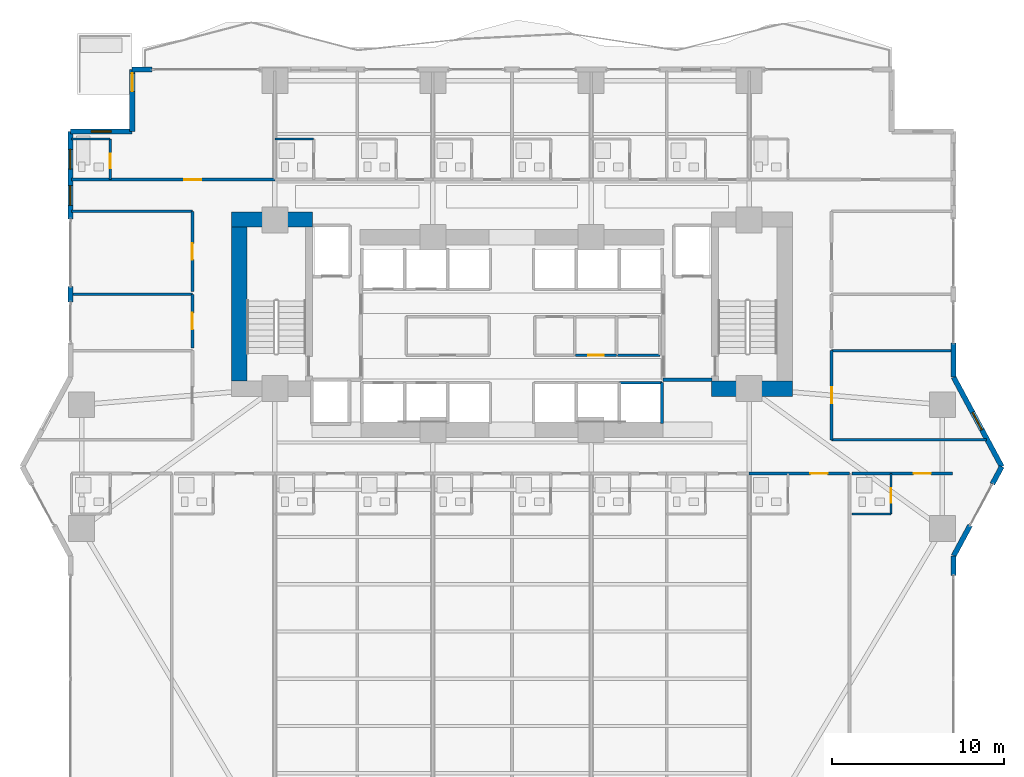
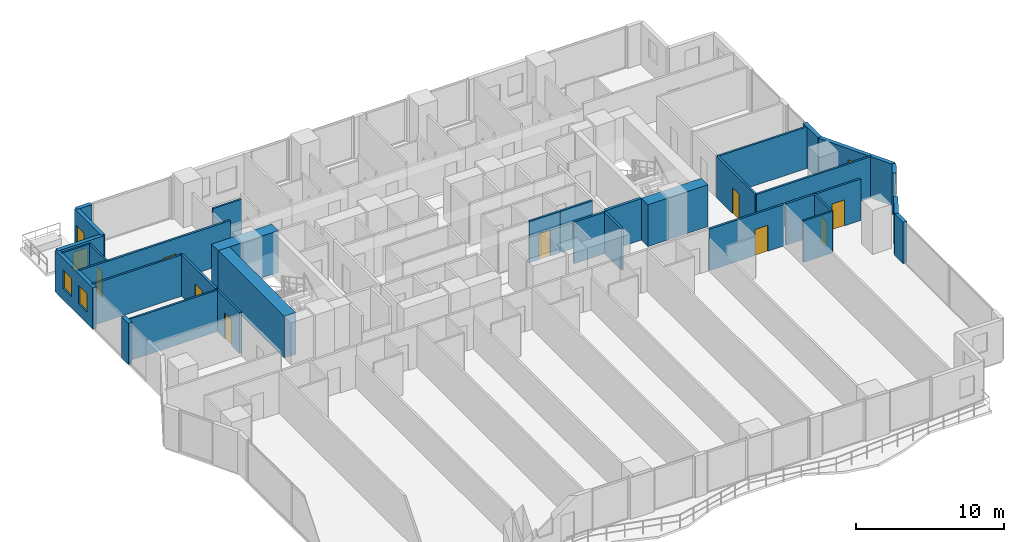
# One storey, part 21 of 29: 33 walls, 10 doors, 4 windows, 14 openings.
"""IFC4 building model written with IfcOpenShell, lengths in metres."""

import ifcopenshell
import ifcopenshell.guid

model = None  # the IFC model being written
_history = None  # IfcOwnerHistory: only IFC2X3 demands one
_inside = {}  # id of a spatial element -> (the spatial element, [elements in it])
_under = {}  # id of a project, library or spatial element -> (it, [spatial elements below it])
_declared = {}  # id of a project -> (the project, [libraries it declares])
_typed = {}  # id of a type object -> (the type object, [elements of that type])
_made_of = {}  # id of a material, layer set ... -> (it, [elements and type objects made of it])


def new_model(schema):
    """Start an empty IFC model of exactly this schema.

    Asked for "IFC4X3", IfcOpenShell would pick the latest addendum, in which some entities
    have other attributes; the version numbers below select the first issue.
    IFC2X3 requires an IfcOwnerHistory on every rooted entity: one is made here for all.
    """
    global model, _history
    if schema == "IFC4X3":
        model = ifcopenshell.file(schema_version=(4, 3, 0, 0))
    else:
        model = ifcopenshell.file(schema=schema)
    _inside.clear()
    _under.clear()
    _declared.clear()
    _typed.clear()
    _made_of.clear()
    _history = None
    if model.schema == "IFC2X3":
        org = make("IfcOrganization", Name="unknown")
        user = make(
            "IfcPersonAndOrganization",
            ThePerson=make("IfcPerson", FamilyName="unknown"),
            TheOrganization=org,
        )
        app = make(
            "IfcApplication",
            ApplicationDeveloper=org,
            Version="unknown",
            ApplicationFullName="unknown",
            ApplicationIdentifier="unknown",
        )
        _history = make(
            "IfcOwnerHistory",
            OwningUser=user,
            OwningApplication=app,
            ChangeAction="ADDED",
            CreationDate=0,
        )
    return model


def make(cls, **values):
    """One entity of the class cls with the attributes given. An attribute that is None is left unset."""
    return model.create_entity(
        cls, **{name: value for name, value in values.items() if value is not None}
    )


def rooted(cls, **values):
    """An entity with a GlobalId (a new one), such as an element, a storey or a relation."""
    return make(cls, GlobalId=ifcopenshell.guid.new(), OwnerHistory=_history, **values)


def si_unit(unit_type, name, prefix=None):
    """IfcSIUnit, for example si_unit("LENGTHUNIT", "METRE", prefix="MILLI")."""
    return make("IfcSIUnit", UnitType=unit_type, Prefix=prefix, Name=name)


def assignment(units):
    """IfcUnitAssignment: the units of a project."""
    return None if units is None else make("IfcUnitAssignment", Units=units)


def point(xyz):
    """IfcCartesianPoint."""
    return None if xyz is None else make("IfcCartesianPoint", Coordinates=xyz)


def direction(xyz):
    """IfcDirection."""
    return None if xyz is None else make("IfcDirection", DirectionRatios=xyz)


def frame(location, z_axis=None, x_axis=None):
    """IfcAxis2Placement3D, a coordinate frame: its origin and axes. An axis left out is left unset."""
    return make(
        "IfcAxis2Placement3D",
        Location=point(location),
        Axis=direction(z_axis),
        RefDirection=direction(x_axis),
    )


def frame_2d(location, x_axis=None):
    """IfcAxis2Placement2D, a coordinate frame in the plane: its origin and x axis."""
    return make(
        "IfcAxis2Placement2D", Location=point(location), RefDirection=direction(x_axis)
    )


def origin():
    """The frame at (0, 0, 0) with its axes left unset."""
    return frame((0.0, 0.0, 0.0))


def place(relative_to, where):
    """IfcLocalPlacement: puts the frame where relative to a parent placement (None: the world)."""
    return make(
        "IfcLocalPlacement", PlacementRelTo=relative_to, RelativePlacement=where
    )


def context(
    kind, dimensions, precision=None, world=None, true_north=None, identifier=None
):
    """IfcGeometricRepresentationContext, for example the 3D "Model" context."""
    return make(
        "IfcGeometricRepresentationContext",
        ContextIdentifier=identifier,
        ContextType=kind,
        CoordinateSpaceDimension=dimensions,
        Precision=precision,
        WorldCoordinateSystem=world,
        TrueNorth=true_north,
    )


def subcontext(parent, identifier, kind, view, scale=None):
    """IfcGeometricRepresentationSubContext, for example "Body" below "Model"."""
    return make(
        "IfcGeometricRepresentationSubContext",
        ContextIdentifier=identifier,
        ContextType=kind,
        ParentContext=parent,
        TargetScale=scale,
        TargetView=view,
    )


def project(units=None, contexts=None):
    """IfcProject with its units and contexts."""
    return rooted(
        "IfcProject",
        Name="project",
        RepresentationContexts=contexts,
        UnitsInContext=assignment(units),
    )


def spatial(cls, under=None, at=None, **own):
    """A site, building, storey or space (cls), placed at a placement, below another one or the project."""
    s = rooted(cls, ObjectPlacement=at, **own)
    if under is not None:
        _under.setdefault(under.id(), (under, []))[1].append(s)
    return s


def profile(cls, at=None, kind="AREA", **sizes):
    """A parametric profile (cls). Its sizes go by their IFC names, for example OverallWidth=200.0."""
    return make(cls, ProfileType=kind, Position=at, **sizes)


def rectangle(**sizes):
    """IfcRectangleProfileDef."""
    return profile("IfcRectangleProfileDef", **sizes)


def extrude(swept, where, along, depth):
    """IfcExtrudedAreaSolid: the profile swept, set in the frame where, extruded along a direction by depth."""
    return make(
        "IfcExtrudedAreaSolid",
        SweptArea=swept,
        Position=where,
        ExtrudedDirection=direction(along),
        Depth=depth,
    )


def shape(context_of_items, identifier, shape_type, items):
    """IfcShapeRepresentation: the items that make up one representation, for example the "Body"."""
    return make(
        "IfcShapeRepresentation",
        ContextOfItems=context_of_items,
        RepresentationIdentifier=identifier,
        RepresentationType=shape_type,
        Items=items,
    )


def material(Name=None, Category=None):
    """IfcMaterial."""
    return make("IfcMaterial", Name=Name, Category=Category)


def layer(
    of_material, thickness, ventilated=None, Name=None, Category=None, Priority=None
):
    """IfcMaterialLayer: one layer of a wall or slab, of a material (None: an air gap)."""
    return make(
        "IfcMaterialLayer",
        Material=of_material,
        LayerThickness=thickness,
        IsVentilated=ventilated,
        Name=Name,
        Category=Category,
        Priority=Priority,
    )


def layer_set(layers, Name=None):
    """IfcMaterialLayerSet."""
    return make("IfcMaterialLayerSet", MaterialLayers=layers, LayerSetName=Name)


def made_of(thing, what):
    """Note that an element or type object is made of a material, layer set ...; save() writes the relation."""
    if what is not None:
        _made_of.setdefault(what.id(), (what, []))[1].append(thing)
    return thing


def type_object(cls, material=None, **own):
    """A type object (cls), such as IfcWallType, which elements share."""
    return made_of(rooted(cls, **own), material)


def element(
    cls,
    number,
    at=None,
    inside=None,
    cuts=None,
    type_object=None,
    material=None,
    context=None,
    identifier="Body",
    shape_type=None,
    held_by="IfcProductDefinitionShape",
    body=None,
    shapes=None,
    **own,
):
    """One element of the class cls, such as IfcWall. Its Tag is "e" and its number.

    at: its placement. inside: the storey or other place that contains it. cuts: it is an
    opening in that element (IfcRelVoidsElement). A single representation is given by context,
    identifier, shape_type and body (its items); several are given by shapes. held_by: the class
    of the entity that holds the representations. save() writes the other relations.
    """
    e = rooted(cls, Tag="e%d" % number, ObjectPlacement=at, **own)
    if body is not None:
        shapes = [shape(context, identifier, shape_type, body)]
    if shapes is not None:
        e.Representation = make(held_by, Representations=shapes)
    if inside is not None:
        _inside.setdefault(inside.id(), (inside, []))[1].append(e)
    if cuts is not None:
        rooted(
            "IfcRelVoidsElement", RelatingBuildingElement=cuts, RelatedOpeningElement=e
        )
    if type_object is not None:
        _typed.setdefault(type_object.id(), (type_object, []))[1].append(e)
    return made_of(e, material)


def fill(opening, filler):
    """IfcRelFillsElement: the door or window that sits in an opening."""
    return rooted(
        "IfcRelFillsElement",
        RelatingOpeningElement=opening,
        RelatedBuildingElement=filler,
    )


def aggregate(whole, parts):
    """IfcRelAggregates: a whole, such as a stair, and the parts it consists of."""
    return rooted("IfcRelAggregates", RelatingObject=whole, RelatedObjects=parts)


def save(model, path):
    """Write the relations noted so far, then the file.

    IfcRelAggregates (storeys below a building ...), IfcRelContainedInSpatialStructure (elements
    in a storey), IfcRelDefinesByType, IfcRelAssociatesMaterial and IfcRelDeclares: one each for
    every whole, place, type object, material and project.
    """
    for whole, parts in _under.values():
        aggregate(whole, parts)
    for where, things in _inside.values():
        rooted(
            "IfcRelContainedInSpatialStructure",
            RelatedElements=things,
            RelatingStructure=where,
        )
    for kind, things in _typed.values():
        rooted("IfcRelDefinesByType", RelatedObjects=things, RelatingType=kind)
    for what, things in _made_of.values():
        rooted("IfcRelAssociatesMaterial", RelatedObjects=things, RelatingMaterial=what)
    for by, libraries in _declared.values():
        rooted("IfcRelDeclares", RelatingContext=by, RelatedDefinitions=libraries)
    model.write(path)


model = new_model("IFC4")

# Units and contexts
model_context = context("Model", 3, precision=1e-05, world=origin(), true_north=direction((0.0, 1.0)))
body_context = subcontext(model_context, "Body", "Model", "MODEL_VIEW")
ifc_project = project(units=[si_unit("LENGTHUNIT", "METRE"), si_unit("AREAUNIT", "SQUARE_METRE"), si_unit("VOLUMEUNIT", "CUBIC_METRE"), si_unit("PLANEANGLEUNIT", "RADIAN"), si_unit("MASSUNIT", "GRAM", prefix="KILO")], contexts=[model_context])

# Site, building, storey
site_placement = place(None, origin())
site = spatial("IfcSite", under=ifc_project, at=site_placement, CompositionType="ELEMENT")
building_placement = place(site_placement, origin())
building = spatial("IfcBuilding", under=site, at=building_placement, Name="Zuhayl Quay Hotel", CompositionType="ELEMENT")
storey_placement = place(building_placement, frame((0.0, 0.0, 67.75)))
storey = spatial("IfcBuildingStorey", under=building, at=storey_placement, Name="L16", CompositionType="ELEMENT", Elevation=67.75)

# Walls
ifc_material_1 = material(Name="Concrete C70/85", Category="concrete")
ifc_layer_1 = layer(ifc_material_1, 0.89990234375, Name="Concrete C70/85", Category="concrete")
ifc_layer_set_1 = layer_set([ifc_layer_1], Name="Concrete C70/85")
wall_type_1 = type_object("IfcWallType", Name="WL_CORE_900", PredefinedType="SHEAR", material=ifc_layer_set_1)
wall_1_placement = place(storey_placement, frame((-16.31005859375, 14.3798828125, 0.0), z_axis=(0.0, 0.0, 1.0), x_axis=(1.0, 0.0, 0.0)))
element("IfcWall", 1, at=wall_1_placement, inside=storey, type_object=wall_type_1, Name="L16 Core Shear Wall CW_NW", PredefinedType="SHEAR", context=body_context, shape_type="SweptSolid", body=[
    extrude(rectangle(XDim=4.7099609375, YDim=0.89990234375, at=frame_2d((2.35498046875, 0.0))), origin(), (0.0, 0.0, 1.0), 3.4599609375),
])
wall_2_placement = place(storey_placement, frame((-15.860107421875, 4.969970703125, 0.0), z_axis=(0.0, 0.0, 1.0), x_axis=(0.0, 1.0, 0.0)))
element("IfcWall", 2, at=wall_2_placement, inside=storey, type_object=wall_type_1, Name="L16 Core Shear Wall CW_W", PredefinedType="SHEAR", context=body_context, shape_type="SweptSolid", body=[
    extrude(rectangle(XDim=8.9599609375, YDim=0.89990234375, at=frame_2d((4.47998046875, 0.0))), origin(), (0.0, 0.0, 1.0), 3.4599609375),
])
wall_3_placement = place(storey_placement, frame((11.60009765625, 4.52001953125, 0.0), z_axis=(0.0, 0.0, 1.0), x_axis=(1.0, 0.0, 0.0)))
element("IfcWall", 3, at=wall_3_placement, inside=storey, type_object=wall_type_1, Name="L16 Core Shear Wall CW_SE", PredefinedType="SHEAR", context=body_context, shape_type="SweptSolid", body=[
    extrude(rectangle(XDim=4.7099609375, YDim=0.89990234375, at=frame_2d((2.35498046875, 0.0))), origin(), (0.0, 0.0, 1.0), 3.4599609375),
])
ifc_material_2 = material(Name="Precast concrete C45/55", Category="concrete")
ifc_layer_2 = layer(ifc_material_2, 0.300048828125, Name="Precast concrete C45/55", Category="concrete")
ifc_layer_set_2 = layer_set([ifc_layer_2], Name="Precast concrete C45/55")
wall_type_2 = type_object("IfcWallType", Name="WL_EXT_300", PredefinedType="STANDARD", material=ifc_layer_set_2)
wall_4_placement = place(storey_placement, frame((-25.699951171875, 9.570068359375, 0.0), z_axis=(0.0, 0.0, 1.0), x_axis=(0.0, 1.0, 0.0)))
element("IfcWall", 4, at=wall_4_placement, inside=storey, type_object=wall_type_2, Name="L16 Exterior Precast Wall ENV_L16_E05_EW2", PredefinedType="STANDARD", context=body_context, shape_type="SweptSolid", body=[
    extrude(rectangle(XDim=0.89990234375, YDim=0.300048828125, at=frame_2d((0.449951171875, 0.0))), origin(), (0.0, 0.0, 1.0), 3.429931640625),
])

# Wall, openings, windows
wall_5_placement = place(storey_placement, frame((-25.699951171875, 14.39990234375, 0.0), z_axis=(0.0, 0.0, 1.0), x_axis=(0.0, 1.0, 0.0)))
wall_5 = element("IfcWall", 5, at=wall_5_placement, inside=storey, type_object=wall_type_2, Name="L16 Exterior Precast Wall ENV_L16_E05_EW3", PredefinedType="STANDARD", context=body_context, shape_type="SweptSolid", body=[
    extrude(rectangle(XDim=5.10009765625, YDim=0.300048828125, at=frame_2d((2.550048828125, 0.0))), origin(), (0.0, 0.0, 1.0), 3.429931640625),
])
opening_1_placement = place(wall_5_placement, frame((0.800048828125, 0.0, 0.949951171875)))
opening_1 = element("IfcOpeningElement", 6, at=opening_1_placement, cuts=wall_5, Name="Opening W01N", PredefinedType="OPENING", context=body_context, shape_type="SweptSolid", body=[
    extrude(rectangle(XDim=1.14990234375, YDim=1.550048828125, at=frame_2d((0.574951171875, 0.77490234375))), frame((0.0, 0.159912109375, 0.0), z_axis=(0.0, -1.0, 0.0), x_axis=(1.0, 0.0, 0.0)), (0.0, 0.0, 1.0), 0.320068359375),
])
opening_2_placement = place(wall_5_placement, frame((2.905029296875, 0.0, 0.949951171875)))
opening_2 = element("IfcOpeningElement", 7, at=opening_2_placement, cuts=wall_5, Name="Opening W01N", PredefinedType="OPENING", context=body_context, shape_type="SweptSolid", body=[
    extrude(rectangle(XDim=1.14990234375, YDim=1.550048828125, at=frame_2d((0.574951171875, 0.77490234375))), frame((0.0, 0.159912109375, 0.0), z_axis=(0.0, -1.0, 0.0), x_axis=(1.0, 0.0, 0.0)), (0.0, 0.0, 1.0), 0.320068359375),
])
ifc_material_3 = material(Name="Dark Ceramic-Fritted Solar Glass", Category="glass")
window_type = type_object("IfcWindowType", Name="WN_NOTCH_1350", PartitioningType="SINGLE_PANEL", PredefinedType="WINDOW", material=ifc_material_3)
window_1_placement = place(opening_1_placement, origin())
window_1 = element("IfcWindow", 8, at=window_1_placement, inside=storey, type_object=window_type, Name="L16 Operable Facade Window 3-1", OverallHeight=1.550048828125, OverallWidth=1.14990234375, PartitioningType="SINGLE_PANEL", PredefinedType="WINDOW", context=body_context, shape_type="SweptSolid", body=[
    extrude(rectangle(XDim=1.14990234375, YDim=1.550048828125, at=frame_2d((0.574951171875, 0.77490234375))), frame((0.0, 0.030029296875, 0.0), z_axis=(0.0, -1.0, 0.0), x_axis=(1.0, 0.0, 0.0)), (0.0, 0.0, 1.0), 0.06005859375),
])
fill(opening_1, window_1)
window_2_placement = place(opening_2_placement, origin())
window_2 = element("IfcWindow", 9, at=window_2_placement, inside=storey, type_object=window_type, Name="L16 Operable Facade Window 3-2", OverallHeight=1.550048828125, OverallWidth=1.14990234375, PartitioningType="SINGLE_PANEL", PredefinedType="WINDOW", context=body_context, shape_type="SweptSolid", body=[
    extrude(rectangle(XDim=1.14990234375, YDim=1.550048828125, at=frame_2d((0.574951171875, 0.77490234375))), frame((0.0, 0.030029296875, 0.0), z_axis=(0.0, -1.0, 0.0), x_axis=(1.0, 0.0, 0.0)), (0.0, 0.0, 1.0), 0.06005859375),
])
fill(opening_2, window_2)

# Wall, opening, window
wall_6_placement = place(storey_placement, frame((-25.699951171875, 19.5, 0.0), z_axis=(0.0, 0.0, 1.0), x_axis=(1.0, 0.0, 0.0)))
wall_6 = element("IfcWall", 10, at=wall_6_placement, inside=storey, type_object=wall_type_2, Name="L16 Exterior Precast Wall ENV_L16_EW06", PredefinedType="STANDARD", context=body_context, shape_type="SweptSolid", body=[
    extrude(rectangle(XDim=3.599853515625, YDim=0.300048828125, at=frame_2d((1.7998046875, 0.0))), origin(), (0.0, 0.0, 1.0), 3.429931640625),
])
opening_3_placement = place(wall_6_placement, frame((1.22509765625, 0.0, 1.25)))
opening_3 = element("IfcOpeningElement", 11, at=opening_3_placement, cuts=wall_6, Name="Opening W01N", PredefinedType="OPENING", context=body_context, shape_type="SweptSolid", body=[
    extrude(rectangle(XDim=1.14990234375, YDim=1.550048828125, at=frame_2d((0.574951171875, 0.77490234375))), frame((0.0, 0.159912109375, 0.0), z_axis=(0.0, -1.0, 0.0), x_axis=(1.0, 0.0, 0.0)), (0.0, 0.0, 1.0), 0.320068359375),
])
window_3_placement = place(opening_3_placement, origin())
window_3 = element("IfcWindow", 12, at=window_3_placement, inside=storey, type_object=window_type, Name="L16 Corner Notch Window 6", OverallHeight=1.550048828125, OverallWidth=1.14990234375, PartitioningType="SINGLE_PANEL", PredefinedType="WINDOW", context=body_context, shape_type="SweptSolid", body=[
    extrude(rectangle(XDim=1.14990234375, YDim=1.550048828125, at=frame_2d((0.574951171875, 0.77490234375))), frame((0.0, 0.030029296875, 0.0), z_axis=(0.0, -1.0, 0.0), x_axis=(1.0, 0.0, 0.0)), (0.0, 0.0, 1.0), 0.06005859375),
])
fill(opening_3, window_3)

# Wall, opening, door
wall_7_placement = place(storey_placement, frame((-22.10009765625, 19.5, 0.0), z_axis=(0.0, 0.0, 1.0), x_axis=(0.0, 1.0, 0.0)))
wall_7 = element("IfcWall", 13, at=wall_7_placement, inside=storey, type_object=wall_type_2, Name="L16 Exterior Precast Wall ENV_L16_SP_NW", PredefinedType="STANDARD", context=body_context, shape_type="SweptSolid", body=[
    extrude(rectangle(XDim=3.60009765625, YDim=0.300048828125, at=frame_2d((1.800048828125, 0.0))), origin(), (0.0, 0.0, 1.0), 3.429931640625),
])
opening_4_placement = place(wall_7_placement, frame((2.330078125, 0.0, 0.0)))
opening_4 = element("IfcOpeningElement", 14, at=opening_4_placement, cuts=wall_7, Name="Opening DG1", PredefinedType="OPENING", context=body_context, shape_type="SweptSolid", body=[
    extrude(rectangle(XDim=1.050048828125, YDim=2.199951171875, at=frame_2d((0.52490234375, 1.10009765625))), frame((0.0, 0.159912109375, 0.0), z_axis=(0.0, -1.0, 0.0), x_axis=(1.0, 0.0, 0.0)), (0.0, 0.0, 1.0), 0.320068359375),
])
ifc_material_4 = material(Name="Anodised Aluminium and Dark Solar Glass", Category="aluminium")
door_type_1 = type_object("IfcDoorType", Name="DR_EXT_TERR_1050", OperationType="NOTDEFINED", PredefinedType="DOOR", material=ifc_material_4)
door_1_placement = place(opening_4_placement, origin())
door_1 = element("IfcDoor", 15, at=door_1_placement, inside=storey, type_object=door_type_1, Name="L16 Spiral Sky-Terrace NW Access Door", OperationType="SINGLE_SWING_LEFT", OverallHeight=2.199951171875, OverallWidth=1.050048828125, PredefinedType="DOOR", context=body_context, shape_type="SweptSolid", body=[
    extrude(rectangle(XDim=1.050048828125, YDim=2.199951171875, at=frame_2d((0.52490234375, 1.10009765625))), frame((0.0, 0.02490234375, 0.0), z_axis=(0.0, -1.0, 0.0), x_axis=(1.0, 0.0, 0.0)), (0.0, 0.0, 1.0), 0.050048828125),
])
fill(opening_4, door_1)

# Walls
wall_8_placement = place(storey_placement, frame((-22.10009765625, 23.10009765625, 0.0), z_axis=(0.0, 0.0, 1.0), x_axis=(1.0, 0.0, 0.0)))
element("IfcWall", 16, at=wall_8_placement, inside=storey, type_object=wall_type_2, Name="L16 Exterior Precast Wall ENV_L16_N_EW1", PredefinedType="STANDARD", context=body_context, shape_type="SweptSolid", body=[
    extrude(rectangle(XDim=1.150146484375, YDim=0.300048828125, at=frame_2d((0.5751953125, 0.0))), origin(), (0.0, 0.0, 1.0), 3.429931640625),
])
wall_9_placement = place(storey_placement, frame((25.699951171875, 7.199951171875, 0.0), z_axis=(0.0, 0.0, 1.0), x_axis=(0.0, -1.0, 0.0)))
element("IfcWall", 17, at=wall_9_placement, inside=storey, type_object=wall_type_2, Name="L16 Exterior Precast Wall ENV_L16_E11_EW3", PredefinedType="STANDARD", context=body_context, shape_type="SweptSolid", body=[
    extrude(rectangle(XDim=2.0, YDim=0.300048828125, at=frame_2d((1.0, 0.0))), origin(), (0.0, 0.0, 1.0), 3.429931640625),
])

# Wall, opening, window
wall_10_placement = place(storey_placement, frame((25.699951171875, 5.199951171875, 0.0), z_axis=(0.0, 0.0, 1.0), x_axis=(0.474109683532, -0.880465790352, 0.0)))
wall_10 = element("IfcWall", 18, at=wall_10_placement, inside=storey, type_object=wall_type_2, Name="L16 Exterior Precast Wall ENV_L16_E12_EW1", PredefinedType="STANDARD", context=body_context, shape_type="SweptSolid", body=[
    extrude(rectangle(XDim=5.906005859375, YDim=0.300048828125, at=frame_2d((2.953125, 0.0))), origin(), (0.0, 0.0, 1.0), 3.429931640625),
])
opening_5_placement = place(wall_10_placement, frame((2.32373046875, 0.0, 0.949951171875)))
opening_5 = element("IfcOpeningElement", 19, at=opening_5_placement, cuts=wall_10, Name="Opening W01N", PredefinedType="OPENING", context=body_context, shape_type="SweptSolid", body=[
    extrude(rectangle(XDim=1.14990234375, YDim=1.550048828125, at=frame_2d((0.574951171875, 0.77490234375))), frame((0.0, 0.159912109375, 0.0), z_axis=(0.0, -1.0, 0.0), x_axis=(1.0, 0.0, 0.0)), (0.0, 0.0, 1.0), 0.320068359375),
])
window_4_placement = place(opening_5_placement, origin())
window_4 = element("IfcWindow", 20, at=window_4_placement, inside=storey, type_object=window_type, Name="L16 Operable Facade Window 1-1", OverallHeight=1.550048828125, OverallWidth=1.14990234375, PartitioningType="SINGLE_PANEL", PredefinedType="WINDOW", context=body_context, shape_type="SweptSolid", body=[
    extrude(rectangle(XDim=1.14990234375, YDim=1.550048828125, at=frame_2d((0.574951171875, 0.77490234375))), frame((0.0, 0.030029296875, 0.0), z_axis=(0.0, -1.0, 0.0), x_axis=(1.0, 0.0, 0.0)), (0.0, 0.0, 1.0), 0.06005859375),
])
fill(opening_5, window_4)

# Walls
wall_11_placement = place(storey_placement, frame((28.5, 0.0, 0.0), z_axis=(0.0, 0.0, 1.0), x_axis=(-0.474099823035, -0.880471099922, 0.0)))
element("IfcWall", 21, at=wall_11_placement, inside=storey, type_object=wall_type_2, Name="L16 Exterior Precast Wall ENV_L16_E13_EW1", PredefinedType="STANDARD", context=body_context, shape_type="SweptSolid", body=[
    extrude(rectangle(XDim=1.14990234375, YDim=0.300048828125, at=frame_2d((0.574951171875, 0.0))), origin(), (0.0, 0.0, 1.0), 3.429931640625),
])
wall_12_placement = place(storey_placement, frame((26.657958984375, -3.4208984375, 0.0), z_axis=(0.0, 0.0, 1.0), x_axis=(-0.474121438562, -0.88045946045, 0.0)))
element("IfcWall", 22, at=wall_12_placement, inside=storey, type_object=wall_type_2, Name="L16 Exterior Precast Wall ENV_L16_E13_EW2", PredefinedType="STANDARD", context=body_context, shape_type="SweptSolid", body=[
    extrude(rectangle(XDim=2.0205078125, YDim=0.300048828125, at=frame_2d((1.01025390625, 0.0))), origin(), (0.0, 0.0, 1.0), 3.429931640625),
])
wall_13_placement = place(storey_placement, frame((25.699951171875, -5.199951171875, 0.0), z_axis=(0.0, 0.0, 1.0), x_axis=(0.0, -1.0, 0.0)))
element("IfcWall", 23, at=wall_13_placement, inside=storey, type_object=wall_type_2, Name="L16 Exterior Precast Wall ENV_L16_E14_EW1", PredefinedType="STANDARD", context=body_context, shape_type="SweptSolid", body=[
    extrude(rectangle(XDim=1.150146484375, YDim=0.300048828125, at=frame_2d((0.5751953125, 0.0))), origin(), (0.0, 0.0, 1.0), 3.429931640625),
])

# Wall, opening, door
ifc_material_5 = material(Name="Acoustic Gypsum Partition STC-58")
ifc_layer_3 = layer(ifc_material_5, 0.14990234375, Name="Acoustic Gypsum Partition STC-58")
ifc_layer_set_3 = layer_set([ifc_layer_3], Name="Acoustic Gypsum Partition STC-58")
wall_type_3 = type_object("IfcWallType", Name="WL_PART_150", PredefinedType="PARTITIONING", material=ifc_layer_set_3)
wall_14_placement = place(storey_placement, frame((3.699951171875, 6.47998046875, 0.0), z_axis=(0.0, 0.0, 1.0), x_axis=(1.0, 0.0, 0.0)))
wall_14 = element("IfcWall", 24, at=wall_14_placement, inside=storey, type_object=wall_type_3, Name="L16 Partition IW_L16_CORE_E2_S", PredefinedType="PARTITIONING", context=body_context, shape_type="SweptSolid", body=[
    extrude(rectangle(XDim=2.380126953125, YDim=0.14990234375, at=frame_2d((1.18994140625, 0.0))), origin(), (0.0, 0.0, 1.0), 3.429931640625),
])
opening_6_placement = place(wall_14_placement, frame((0.739990234375, 0.0, 0.0)))
opening_6 = element("IfcOpeningElement", 25, at=opening_6_placement, cuts=wall_14, Name="Opening D06", PredefinedType="OPENING", context=body_context, shape_type="SweptSolid", body=[
    extrude(rectangle(XDim=0.89990234375, YDim=2.14990234375, at=frame_2d((0.449951171875, 1.074951171875))), frame((0.0, 0.0849609375, 0.0), z_axis=(0.0, -1.0, 0.0), x_axis=(1.0, 0.0, 0.0)), (0.0, 0.0, 1.0), 0.169921875),
])
ifc_material_6 = material(Name="Steel ASTM A992 Grade 50", Category="steel")
door_type_2 = type_object("IfcDoorType", Name="DR_INT_900", OperationType="NOTDEFINED", PredefinedType="DOOR", material=ifc_material_6)
door_2_placement = place(opening_6_placement, origin())
door_2 = element("IfcDoor", 26, at=door_2_placement, inside=storey, type_object=door_type_2, Name="L16 Data Closet Door", OperationType="SINGLE_SWING_RIGHT", OverallHeight=2.14990234375, OverallWidth=0.89990234375, PredefinedType="DOOR", context=body_context, shape_type="SweptSolid", body=[
    extrude(rectangle(XDim=0.89990234375, YDim=2.14990234375, at=frame_2d((0.449951171875, 1.074951171875))), frame((0.0, 0.02490234375, 0.0), z_axis=(0.0, -1.0, 0.0), x_axis=(1.0, 0.0, 0.0)), (0.0, 0.0, 1.0), 0.050048828125),
])
fill(opening_6, door_2)

# Walls
wall_15_placement = place(storey_placement, frame((6.139892578125, 6.47998046875, 0.0), z_axis=(0.0, 0.0, 1.0), x_axis=(1.0, 0.0, 0.0)))
element("IfcWall", 27, at=wall_15_placement, inside=storey, type_object=wall_type_3, Name="L16 Partition IW_L16_CORE_E3_S", PredefinedType="PARTITIONING", context=body_context, shape_type="SweptSolid", body=[
    extrude(rectangle(XDim=2.47021484375, YDim=0.14990234375, at=frame_2d((1.235107421875, 0.0))), origin(), (0.0, 0.0, 1.0), 3.429931640625),
])
wall_16_placement = place(storey_placement, frame((18.60009765625, 1.550048828125, 0.0), z_axis=(0.0, 0.0, 1.0), x_axis=(1.0, 0.0, 0.0)))
element("IfcWall", 28, at=wall_16_placement, inside=storey, type_object=wall_type_3, Name="L16 Partition IW_L16_HK_MAIN_S", PredefinedType="PARTITIONING", context=body_context, shape_type="SweptSolid", body=[
    extrude(rectangle(XDim=9.00537109375, YDim=0.14990234375, at=frame_2d((4.502685546875, 0.0))), origin(), (0.0, 0.0, 1.0), 3.429931640625),
])
for number, where, z_axis, x_axis, name in (
    (29, (18.60009765625, 6.75, 0.0), (0.0, 0.0, 1.0), (1.0, 0.0, 0.0), "L16 Partition IW_L16_HK_MAIN_N"),
    (30, (-25.639892578125, 10.02001953125, 0.0), (0.0, 0.0, 1.0), (1.0, 0.0, 0.0), "L16 Partition IW_L16_WPROW_2_N"),
    (31, (-25.639892578125, 14.85009765625, 0.0), (0.0, 0.0, 1.0), (1.0, 0.0, 0.0), "L16 Partition IW_L16_WPROW_3_N"),
):
    element("IfcWall", number, at=place(storey_placement, frame(where, z_axis=z_axis, x_axis=x_axis)), inside=storey, type_object=wall_type_3, Name=name, PredefinedType="PARTITIONING", context=body_context, shape_type="SweptSolid", body=[
        extrude(rectangle(XDim=7.039794921875, YDim=0.14990234375, at=frame_2d((3.52001953125, 0.0))), origin(), (0.0, 0.0, 1.0), 3.429931640625),
    ])

# Wall, opening, door
ifc_layer_4 = layer(ifc_material_5, 0.159912109375, Name="Acoustic Gypsum Partition STC-58")
ifc_layer_set_4 = layer_set([ifc_layer_4], Name="Acoustic Gypsum Partition STC-58")
wall_type_4 = type_object("IfcWallType", Name="WL_PART_CORR_160", PredefinedType="PARTITIONING", material=ifc_layer_set_4)
wall_17_placement = place(storey_placement, frame((-25.639892578125, 16.699951171875, 0.0), z_axis=(0.0, 0.0, 1.0), x_axis=(1.0, 0.0, 0.0)))
wall_17 = element("IfcWall", 32, at=wall_17_placement, inside=storey, type_object=wall_type_4, Name="L16 Partition IW_L16_NU01_COR", PredefinedType="PARTITIONING", context=body_context, shape_type="SweptSolid", body=[
    extrude(rectangle(XDim=11.83984375, YDim=0.159912109375, at=frame_2d((5.919921875, 0.0))), origin(), (0.0, 0.0, 1.0), 3.429931640625),
])
opening_7_placement = place(wall_17_placement, frame((6.570068359375, 0.0, 0.0)))
opening_7 = element("IfcOpeningElement", 33, at=opening_7_placement, cuts=wall_17, Name="Opening D03L", PredefinedType="OPENING", context=body_context, shape_type="SweptSolid", body=[
    extrude(rectangle(XDim=1.0, YDim=2.14990234375, at=frame_2d((0.5, 1.074951171875))), frame((0.0, 0.08984375, 0.0), z_axis=(0.0, -1.0, 0.0), x_axis=(1.0, 0.0, 0.0)), (0.0, 0.0, 1.0), 0.179931640625),
])
ifc_material_7 = material(Name="Solid Walnut Acoustic Fire Door")
door_type_3 = type_object("IfcDoorType", Name="DR_SUITE_1000", OperationType="NOTDEFINED", PredefinedType="DOOR", material=ifc_material_7)
door_3_placement = place(opening_7_placement, origin())
door_3 = element("IfcDoor", 34, at=door_3_placement, inside=storey, type_object=door_type_3, Name="L16 Deluxe Gulf Guest Room L16-01 Entrance Door", OperationType="SINGLE_SWING_LEFT", OverallHeight=2.14990234375, OverallWidth=1.0, PredefinedType="DOOR", context=body_context, shape_type="SweptSolid", body=[
    extrude(rectangle(XDim=1.0, YDim=2.14990234375, at=frame_2d((0.5, 1.074951171875))), frame((0.0, 0.02490234375, 0.0), z_axis=(0.0, -1.0, 0.0), x_axis=(1.0, 0.0, 0.0)), (0.0, 0.0, 1.0), 0.050048828125),
])
fill(opening_7, door_3)

wall_18_placement = place(storey_placement, frame((13.800048828125, -0.39990234375, 0.0), z_axis=(0.0, 0.0, 1.0), x_axis=(1.0, 0.0, 0.0)))
wall_18 = element("IfcWall", 35, at=wall_18_placement, inside=storey, type_object=wall_type_4, Name="L16 Partition IW_L16_SU08A_COR", PredefinedType="PARTITIONING", context=body_context, shape_type="SweptSolid", body=[
    extrude(rectangle(XDim=5.83984375, YDim=0.159912109375, at=frame_2d((2.919921875, 0.0))), origin(), (0.0, 0.0, 1.0), 3.429931640625),
])
opening_8_placement = place(wall_18_placement, frame((3.570068359375, 0.0, 0.0)))
opening_8 = element("IfcOpeningElement", 36, at=opening_8_placement, cuts=wall_18, Name="Opening D03L", PredefinedType="OPENING", context=body_context, shape_type="SweptSolid", body=[
    extrude(rectangle(XDim=1.0, YDim=2.14990234375, at=frame_2d((0.5, 1.074951171875))), frame((0.0, 0.08984375, 0.0), z_axis=(0.0, -1.0, 0.0), x_axis=(1.0, 0.0, 0.0)), (0.0, 0.0, 1.0), 0.179931640625),
])
door_4_placement = place(opening_8_placement, origin())
door_4 = element("IfcDoor", 37, at=door_4_placement, inside=storey, type_object=door_type_3, Name="L16 Premier Twin Junior Suite L16-08A Entrance Door", OperationType="SINGLE_SWING_LEFT", OverallHeight=2.14990234375, OverallWidth=1.0, PredefinedType="DOOR", context=body_context, shape_type="SweptSolid", body=[
    extrude(rectangle(XDim=1.0, YDim=2.14990234375, at=frame_2d((0.5, 1.074951171875))), frame((0.0, 0.02490234375, 0.0), z_axis=(0.0, -1.0, 0.0), x_axis=(1.0, 0.0, 0.0)), (0.0, 0.0, 1.0), 0.050048828125),
])
fill(opening_8, door_4)

wall_19_placement = place(storey_placement, frame((19.800048828125, -0.39990234375, 0.0), z_axis=(0.0, 0.0, 1.0), x_axis=(1.0, 0.0, 0.0)))
wall_19 = element("IfcWall", 38, at=wall_19_placement, inside=storey, type_object=wall_type_4, Name="L16 Partition IW_L16_SU08B_COR", PredefinedType="PARTITIONING", context=body_context, shape_type="SweptSolid", body=[
    extrude(rectangle(XDim=5.83984375, YDim=0.159912109375, at=frame_2d((2.919921875, 0.0))), origin(), (0.0, 0.0, 1.0), 3.429931640625),
])
opening_9_placement = place(wall_19_placement, frame((3.570068359375, 0.0, 0.0)))
opening_9 = element("IfcOpeningElement", 39, at=opening_9_placement, cuts=wall_19, Name="Opening D03L", PredefinedType="OPENING", context=body_context, shape_type="SweptSolid", body=[
    extrude(rectangle(XDim=1.0, YDim=2.14990234375, at=frame_2d((0.5, 1.074951171875))), frame((0.0, 0.08984375, 0.0), z_axis=(0.0, -1.0, 0.0), x_axis=(1.0, 0.0, 0.0)), (0.0, 0.0, 1.0), 0.179931640625),
])
door_5_placement = place(opening_9_placement, origin())
door_5 = element("IfcDoor", 40, at=door_5_placement, inside=storey, type_object=door_type_3, Name="L16 Premier Twin Junior Suite L16-08B Entrance Door", OperationType="SINGLE_SWING_LEFT", OverallHeight=2.14990234375, OverallWidth=1.0, PredefinedType="DOOR", context=body_context, shape_type="SweptSolid", body=[
    extrude(rectangle(XDim=1.0, YDim=2.14990234375, at=frame_2d((0.5, 1.074951171875))), frame((0.0, 0.02490234375, 0.0), z_axis=(0.0, -1.0, 0.0), x_axis=(1.0, 0.0, 0.0)), (0.0, 0.0, 1.0), 0.050048828125),
])
fill(opening_9, door_5)

wall_20_placement = place(storey_placement, frame((18.60009765625, 1.550048828125, 0.0), z_axis=(0.0, 0.0, 1.0), x_axis=(0.0, 1.0, 0.0)))
wall_20 = element("IfcWall", 41, at=wall_20_placement, inside=storey, type_object=wall_type_4, Name="L16 Partition IW_L16_HK_MAIN_W", PredefinedType="PARTITIONING", context=body_context, shape_type="SweptSolid", body=[
    extrude(rectangle(XDim=5.199951171875, YDim=0.159912109375, at=frame_2d((2.60009765625, 0.0))), origin(), (0.0, 0.0, 1.0), 3.429931640625),
])
opening_10_placement = place(wall_20_placement, frame((2.139892578125, 0.0, 0.0)))
opening_10 = element("IfcOpeningElement", 42, at=opening_10_placement, cuts=wall_20, Name="Opening D05", PredefinedType="OPENING", context=body_context, shape_type="SweptSolid", body=[
    extrude(rectangle(XDim=0.919921875, YDim=2.1201171875, at=frame_2d((0.4599609375, 1.06005859375))), frame((0.0, 0.08984375, 0.0), z_axis=(0.0, -1.0, 0.0), x_axis=(1.0, 0.0, 0.0)), (0.0, 0.0, 1.0), 0.179931640625),
])
door_type_4 = type_object("IfcDoorType", Name="DR_INT_950", OperationType="NOTDEFINED", PredefinedType="DOOR", material=ifc_material_7)
door_6_placement = place(opening_10_placement, origin())
door_6 = element("IfcDoor", 43, at=door_6_placement, inside=storey, type_object=door_type_4, Name="L16 Housekeeping and Linen Room Door", OperationType="SINGLE_SWING_RIGHT", OverallHeight=2.1201171875, OverallWidth=0.919921875, PredefinedType="DOOR", context=body_context, shape_type="SweptSolid", body=[
    extrude(rectangle(XDim=0.919921875, YDim=2.1201171875, at=frame_2d((0.4599609375, 1.06005859375))), frame((0.0, 0.02490234375, 0.0), z_axis=(0.0, -1.0, 0.0), x_axis=(1.0, 0.0, 0.0)), (0.0, 0.0, 1.0), 0.050048828125),
])
fill(opening_10, door_6)

wall_21_placement = place(storey_placement, frame((-18.60009765625, 6.909912109375, 0.0), z_axis=(0.0, 0.0, 1.0), x_axis=(0.0, 1.0, 0.0)))
wall_21 = element("IfcWall", 44, at=wall_21_placement, inside=storey, type_object=wall_type_4, Name="L16 Partition IW_L16_WPROW_2_E", PredefinedType="PARTITIONING", context=body_context, shape_type="SweptSolid", body=[
    extrude(rectangle(XDim=3.110107421875, YDim=0.159912109375, at=frame_2d((1.55517578125, 0.0))), origin(), (0.0, 0.0, 1.0), 3.429931640625),
])
opening_11_placement = place(wall_21_placement, frame((1.080078125, 0.0, 0.0)))
opening_11 = element("IfcOpeningElement", 45, at=opening_11_placement, cuts=wall_21, Name="Opening D03", PredefinedType="OPENING", context=body_context, shape_type="SweptSolid", body=[
    extrude(rectangle(XDim=0.949951171875, YDim=2.14990234375, at=frame_2d((0.47509765625, 1.074951171875))), frame((0.0, 0.08984375, 0.0), z_axis=(0.0, -1.0, 0.0), x_axis=(1.0, 0.0, 0.0)), (0.0, 0.0, 1.0), 0.179931640625),
])
door_type_5 = type_object("IfcDoorType", Name="DR_SUITE_950", OperationType="NOTDEFINED", PredefinedType="DOOR", material=ifc_material_7)
door_7_placement = place(opening_11_placement, origin())
door_7 = element("IfcDoor", 46, at=door_7_placement, inside=storey, type_object=door_type_5, Name="L16 Sunset Tea Salon L16 Door", OperationType="SINGLE_SWING_RIGHT", OverallHeight=2.14990234375, OverallWidth=0.949951171875, PredefinedType="DOOR", context=body_context, shape_type="SweptSolid", body=[
    extrude(rectangle(XDim=0.949951171875, YDim=2.14990234375, at=frame_2d((0.47509765625, 1.074951171875))), frame((0.0, 0.02490234375, 0.0), z_axis=(0.0, -1.0, 0.0), x_axis=(1.0, 0.0, 0.0)), (0.0, 0.0, 1.0), 0.050048828125),
])
fill(opening_11, door_7)

wall_22_placement = place(storey_placement, frame((-18.60009765625, 10.179931640625, 0.0), z_axis=(0.0, 0.0, 1.0), x_axis=(0.0, 1.0, 0.0)))
wall_22 = element("IfcWall", 47, at=wall_22_placement, inside=storey, type_object=wall_type_4, Name="L16 Partition IW_L16_WPROW_3_E", PredefinedType="PARTITIONING", context=body_context, shape_type="SweptSolid", body=[
    extrude(rectangle(XDim=4.670166015625, YDim=0.159912109375, at=frame_2d((2.3349609375, 0.0))), origin(), (0.0, 0.0, 1.0), 3.429931640625),
])
opening_12_placement = place(wall_22_placement, frame((1.860107421875, 0.0, 0.0)))
opening_12 = element("IfcOpeningElement", 48, at=opening_12_placement, cuts=wall_22, Name="Opening D03", PredefinedType="OPENING", context=body_context, shape_type="SweptSolid", body=[
    extrude(rectangle(XDim=0.949951171875, YDim=2.14990234375, at=frame_2d((0.47509765625, 1.074951171875))), frame((0.0, 0.08984375, 0.0), z_axis=(0.0, -1.0, 0.0), x_axis=(1.0, 0.0, 0.0)), (0.0, 0.0, 1.0), 0.179931640625),
])
door_8_placement = place(opening_12_placement, origin())
door_8 = element("IfcDoor", 49, at=door_8_placement, inside=storey, type_object=door_type_5, Name="L16 West Horizon Salon L16 Door", OperationType="SINGLE_SWING_LEFT", OverallHeight=2.14990234375, OverallWidth=0.949951171875, PredefinedType="DOOR", context=body_context, shape_type="SweptSolid", body=[
    extrude(rectangle(XDim=0.949951171875, YDim=2.14990234375, at=frame_2d((0.47509765625, 1.074951171875))), frame((0.0, 0.02490234375, 0.0), z_axis=(0.0, -1.0, 0.0), x_axis=(1.0, 0.0, 0.0)), (0.0, 0.0, 1.0), 0.050048828125),
])
fill(opening_12, door_8)

ifc_material_8 = material(Name="Moisture-Resistant Sanitarychase Gypsum")
ifc_layer_5 = layer(ifc_material_8, 0.135009765625, Name="Moisture-Resistant Sanitarychase Gypsum")
ifc_layer_set_5 = layer_set([ifc_layer_5], Name="Moisture-Resistant Sanitarychase Gypsum")
wall_type_5 = type_object("IfcWallType", Name="WL_PART_PLUMB_150", PredefinedType="PLUMBINGWALL", material=ifc_layer_set_5)
wall_23_placement = place(storey_placement, frame((-23.3798828125, 16.699951171875, 0.0), z_axis=(0.0, 0.0, 1.0), x_axis=(0.0, 1.0, 0.0)))
wall_23 = element("IfcWall", 50, at=wall_23_placement, inside=storey, type_object=wall_type_5, Name="L16 Partition IW_L16_NU01_BE", PredefinedType="PLUMBINGWALL", context=body_context, shape_type="SweptSolid", body=[
    extrude(rectangle(XDim=2.360107421875, YDim=0.135009765625, at=frame_2d((1.18017578125, 0.0))), origin(), (0.0, 0.0, 1.0), 3.429931640625),
])
opening_13_placement = place(wall_23_placement, frame((0.64990234375, 0.0, 0.0)))
opening_13 = element("IfcOpeningElement", 51, at=opening_13_placement, cuts=wall_23, Name="Opening D04", PredefinedType="OPENING", context=body_context, shape_type="SweptSolid", body=[
    extrude(rectangle(XDim=0.85009765625, YDim=2.10009765625, at=frame_2d((0.425048828125, 1.050048828125))), frame((0.0, 0.077392578125, 0.0), z_axis=(0.0, -1.0, 0.0), x_axis=(1.0, 0.0, 0.0)), (0.0, 0.0, 1.0), 0.155029296875),
])
ifc_material_9 = material(Name="Moisture-Resistant Walnut Veneer")
door_type_6 = type_object("IfcDoorType", Name="DR_BATH_850", OperationType="NOTDEFINED", PredefinedType="DOOR", material=ifc_material_9)
door_9_placement = place(opening_13_placement, origin())
door_9 = element("IfcDoor", 52, at=door_9_placement, inside=storey, type_object=door_type_6, Name="L16 Deluxe Gulf Guest Room L16-01 En-Suite Door", OperationType="SINGLE_SWING_RIGHT", OverallHeight=2.10009765625, OverallWidth=0.85009765625, PredefinedType="DOOR", context=body_context, shape_type="SweptSolid", body=[
    extrude(rectangle(XDim=0.85009765625, YDim=2.10009765625, at=frame_2d((0.425048828125, 1.050048828125))), frame((0.0, 0.02490234375, 0.0), z_axis=(0.0, -1.0, 0.0), x_axis=(1.0, 0.0, 0.0)), (0.0, 0.0, 1.0), 0.050048828125),
])
fill(opening_13, door_9)

wall_24_placement = place(storey_placement, frame((22.06005859375, -2.760009765625, 0.0), z_axis=(0.0, 0.0, 1.0), x_axis=(0.0, 1.0, 0.0)))
wall_24 = element("IfcWall", 53, at=wall_24_placement, inside=storey, type_object=wall_type_5, Name="L16 Partition IW_L16_SU08B_BE", PredefinedType="PLUMBINGWALL", context=body_context, shape_type="SweptSolid", body=[
    extrude(rectangle(XDim=2.360107421875, YDim=0.135009765625, at=frame_2d((1.18017578125, 0.0))), origin(), (0.0, 0.0, 1.0), 3.429931640625),
])
opening_14_placement = place(wall_24_placement, frame((0.64990234375, 0.0, 0.0)))
opening_14 = element("IfcOpeningElement", 54, at=opening_14_placement, cuts=wall_24, Name="Opening D04", PredefinedType="OPENING", context=body_context, shape_type="SweptSolid", body=[
    extrude(rectangle(XDim=0.85009765625, YDim=2.10009765625, at=frame_2d((0.425048828125, 1.050048828125))), frame((0.0, 0.077392578125, 0.0), z_axis=(0.0, -1.0, 0.0), x_axis=(1.0, 0.0, 0.0)), (0.0, 0.0, 1.0), 0.155029296875),
])
door_10_placement = place(opening_14_placement, origin())
door_10 = element("IfcDoor", 55, at=door_10_placement, inside=storey, type_object=door_type_6, Name="L16 Premier Twin Junior Suite L16-08B En-Suite Door", OperationType="SINGLE_SWING_RIGHT", OverallHeight=2.10009765625, OverallWidth=0.85009765625, PredefinedType="DOOR", context=body_context, shape_type="SweptSolid", body=[
    extrude(rectangle(XDim=0.85009765625, YDim=2.10009765625, at=frame_2d((0.425048828125, 1.050048828125))), frame((0.0, 0.02490234375, 0.0), z_axis=(0.0, -1.0, 0.0), x_axis=(1.0, 0.0, 0.0)), (0.0, 0.0, 1.0), 0.050048828125),
])
fill(opening_14, door_10)

# Walls
wall_25_placement = place(storey_placement, frame((-25.639892578125, 19.06005859375, 0.0), z_axis=(0.0, 0.0, 1.0), x_axis=(1.0, 0.0, 0.0)))
element("IfcWall", 56, at=wall_25_placement, inside=storey, type_object=wall_type_5, Name="L16 Partition IW_L16_NU01_BN", PredefinedType="PLUMBINGWALL", context=body_context, shape_type="SweptSolid", body=[
    extrude(rectangle(XDim=2.260009765625, YDim=0.135009765625, at=frame_2d((1.1298828125, 0.0))), origin(), (0.0, 0.0, 1.0), 3.429931640625),
])
wall_26_placement = place(storey_placement, frame((-13.800048828125, 19.06005859375, 0.0), z_axis=(0.0, 0.0, 1.0), x_axis=(1.0, 0.0, 0.0)))
element("IfcWall", 57, at=wall_26_placement, inside=storey, type_object=wall_type_5, Name="L16 Partition IW_L16_NU02_BN", PredefinedType="PLUMBINGWALL", context=body_context, shape_type="SweptSolid", body=[
    extrude(rectangle(XDim=2.260009765625, YDim=0.135009765625, at=frame_2d((1.1298828125, 0.0))), origin(), (0.0, 0.0, 1.0), 2.972900390625),
])
wall_27_placement = place(storey_placement, frame((19.800048828125, -2.760009765625, 0.0), z_axis=(0.0, 0.0, 1.0), x_axis=(1.0, 0.0, 0.0)))
element("IfcWall", 58, at=wall_27_placement, inside=storey, type_object=wall_type_5, Name="L16 Partition IW_L16_SU08B_BS", PredefinedType="PLUMBINGWALL", context=body_context, shape_type="SweptSolid", body=[
    extrude(rectangle(XDim=2.260009765625, YDim=0.135009765625, at=frame_2d((1.1298828125, 0.0))), origin(), (0.0, 0.0, 1.0), 3.429931640625),
])
ifc_material_10 = material(Name="Gypsum Fireboard Assembly EI-90")
ifc_layer_6 = layer(ifc_material_10, 0.1650390625, Name="Gypsum Fireboard Assembly EI-90")
ifc_layer_set_6 = layer_set([ifc_layer_6], Name="Gypsum Fireboard Assembly EI-90")
wall_type_6 = type_object("IfcWallType", Name="WL_PART_SHAFT_160", PredefinedType="PARTITIONING", material=ifc_layer_set_6)
wall_28_placement = place(storey_placement, frame((6.25, 4.8798828125, 0.0), z_axis=(0.0, 0.0, 1.0), x_axis=(1.0, 0.0, 0.0)))
element("IfcWall", 59, at=wall_28_placement, inside=storey, type_object=wall_type_6, Name="L16 Partition IW_L16_SH_HP2_F", PredefinedType="PARTITIONING", context=body_context, shape_type="SweptSolid", body=[
    extrude(rectangle(XDim=2.47998046875, YDim=0.1650390625, at=frame_2d((1.239990234375, 0.0))), origin(), (0.0, 0.0, 1.0), 3.429931640625),
])
wall_29_placement = place(storey_placement, frame((8.72998046875, 2.52001953125, 0.0), z_axis=(0.0, 0.0, 1.0), x_axis=(0.0, 1.0, 0.0)))
element("IfcWall", 60, at=wall_29_placement, inside=storey, type_object=wall_type_6, Name="L16 Partition IW_L16_SH_HP2_E", PredefinedType="PARTITIONING", context=body_context, shape_type="SweptSolid", body=[
    extrude(rectangle(XDim=2.35986328125, YDim=0.1650390625, at=frame_2d((1.179931640625, 0.0))), origin(), (0.0, 0.0, 1.0), 3.429931640625),
])
ifc_material_11 = material(Name="Gypsum Fireboard Assembly EI-120")
ifc_layer_7 = layer(ifc_material_11, 0.199951171875, Name="Gypsum Fireboard Assembly EI-120")
ifc_layer_set_7 = layer_set([ifc_layer_7], Name="Gypsum Fireboard Assembly EI-120")
wall_type_7 = type_object("IfcWallType", Name="WL_PART_SHAFT_200", PredefinedType="PARTITIONING", material=ifc_layer_set_7)
wall_30_placement = place(storey_placement, frame((8.800048828125, 5.050048828125, 0.0), z_axis=(0.0, 0.0, 1.0), x_axis=(1.0, 0.0, 0.0)))
element("IfcWall", 61, at=wall_30_placement, inside=storey, type_object=wall_type_7, Name="L16 Partition IW_L16_FSAE_E_S", PredefinedType="PARTITIONING", context=body_context, shape_type="SweptSolid", body=[
    extrude(rectangle(XDim=2.849853515625, YDim=0.199951171875, at=frame_2d((1.4248046875, 0.0))), origin(), (0.0, 0.0, 1.0), 3.429931640625),
])

save(model, "model.ifc")
